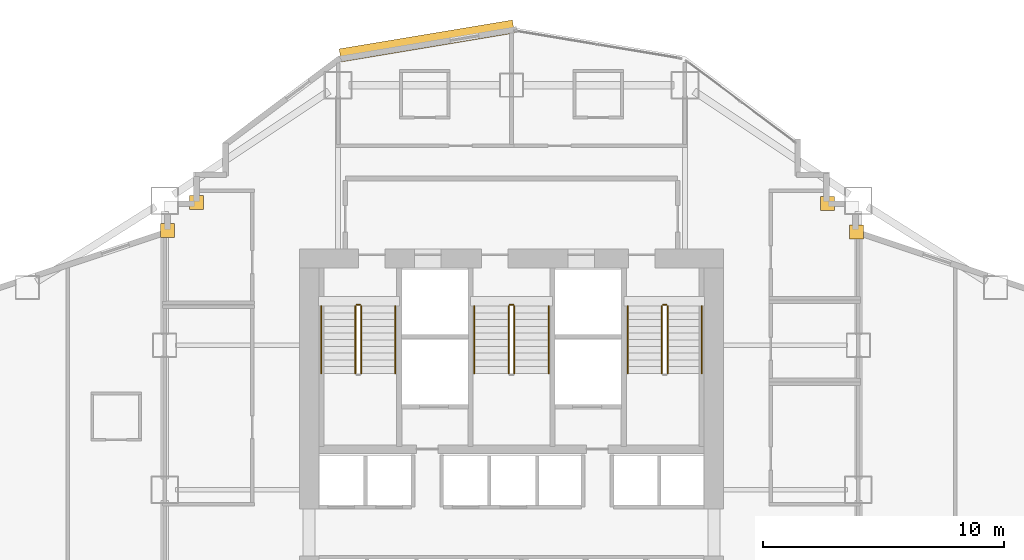
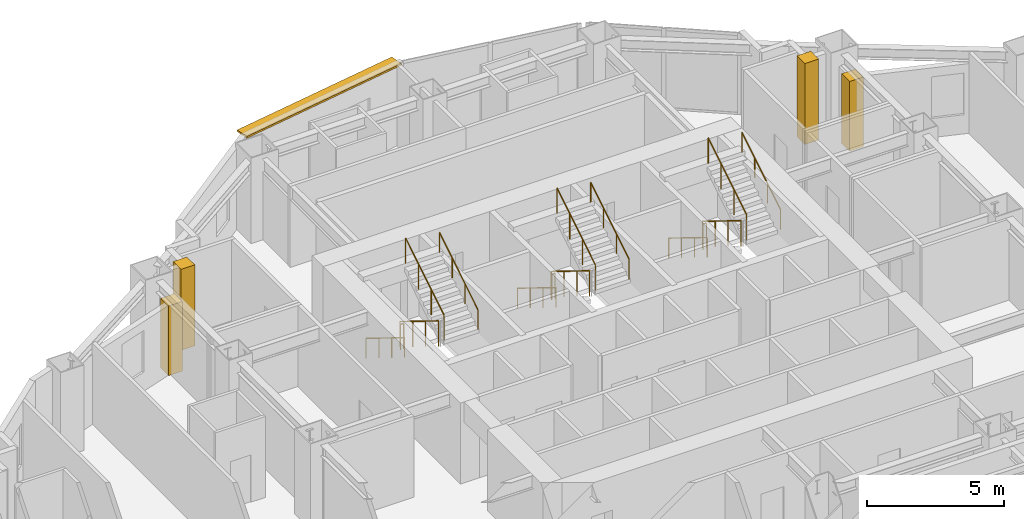
# One storey, part 15 of 16: 15 railings, 4 coverings, 1 shading device.
"""IFC4 building model written with IfcOpenShell, lengths in metres."""

from ifc_helpers import new_model, si_unit, direction, frame, origin, origin_2d, place, context, subcontext, project, spatial, rectangle, circle, extrude, material, layer, layer_set, type_object, element, save


model = new_model("IFC4")

# Units and contexts
model_context = context("Model", 3, precision=1e-05, world=origin(), true_north=direction((0.0, 1.0)))
body_context = subcontext(model_context, "Body", "Model", "MODEL_VIEW")
ifc_project = project(units=[si_unit("LENGTHUNIT", "METRE"), si_unit("AREAUNIT", "SQUARE_METRE"), si_unit("VOLUMEUNIT", "CUBIC_METRE"), si_unit("PLANEANGLEUNIT", "RADIAN"), si_unit("MASSUNIT", "GRAM", prefix="KILO")], contexts=[model_context])

# Site, building, storey
site_placement = place(None, origin())
site = spatial("IfcSite", under=ifc_project, at=site_placement, CompositionType="ELEMENT")
building_placement = place(site_placement, origin())
building = spatial("IfcBuilding", under=site, at=building_placement, Name="Haolan Belvedere Tower", CompositionType="ELEMENT")
storey_placement = place(building_placement, frame((0.0, 0.0, 47.60009765625)))
storey = spatial("IfcBuildingStorey", under=building, at=storey_placement, Name="L11", CompositionType="ELEMENT", Elevation=47.60009765625)

# Coverings
ifc_material_1 = material(Name="Pale champagne-silver anodised aluminium rainscreen cladding", Category="aluminium")
ifc_layer_1 = layer(ifc_material_1, 0.034912109375, Name="Pale champagne-silver anodised aluminium rainscreen cladding")
ifc_layer_set_1 = layer_set([ifc_layer_1], Name="Pale champagne-silver anodised aluminium rainscreen cladding")
covering_type = type_object("IfcCoveringType", Name="COV-CLAD-35", PredefinedType="CLADDING", material=ifc_layer_set_1)
covering_1_placement = place(storey_placement, frame((52.72021484375, 44.300048828125, 0.0), z_axis=(0.0, 0.0, 1.0), x_axis=(1.0, 0.0, 0.0)))
element("IfcCovering", 1, at=covering_1_placement, inside=storey, type_object=covering_type, Name="L11 pale-metal serrated corner cladding trim 8", PredefinedType="CLADDING", context=body_context, shape_type="SweptSolid", body=[
    extrude(rectangle(XDim=0.580078125, YDim=0.580078125, at=origin_2d()), origin(), (0.0, 0.0, 1.0), 3.096923828125),
])
for number, where, z_axis, x_axis, name in (
    (2, (51.5224609375, 45.47998046875, -0.000244140625), (0.0, 0.0, 1.0), (1.0, 0.0, 0.0), "L11 pale-metal serrated corner cladding trim 9"),
    (3, (25.320068359375, 45.5224609375, -0.000244140625), (0.0, 0.0, 1.0), (1.0, 0.0, 0.0), "L11 pale-metal serrated corner cladding trim 10"),
):
    element("IfcCovering", number, at=place(storey_placement, frame(where, z_axis=z_axis, x_axis=x_axis)), inside=storey, type_object=covering_type, Name=name, PredefinedType="CLADDING", context=body_context, shape_type="SweptSolid", body=[
        extrude(rectangle(XDim=0.580078125, YDim=0.580078125, at=origin_2d()), origin(), (0.0, 0.0, 1.0), 3.60009765625),
    ])
covering_2_placement = place(storey_placement, frame((24.1201171875, 44.35595703125, 0.0), z_axis=(0.0, 0.0, 1.0), x_axis=(1.0, 0.0, 0.0)))
element("IfcCovering", 4, at=covering_2_placement, inside=storey, type_object=covering_type, Name="L11 pale-metal serrated corner cladding trim 11", PredefinedType="CLADDING", context=body_context, shape_type="SweptSolid", body=[
    extrude(rectangle(XDim=0.580078125, YDim=0.580078125, at=origin_2d()), origin(), (0.0, 0.0, 1.0), 3.096923828125),
])

# Railings
ifc_material_2 = material(Name="Brushed stainless steel 304", Category="steel")
railing_type_1 = type_object("IfcRailingType", Name="RL-STAIR-GRD-1150", PredefinedType="GUARDRAIL", material=ifc_material_2)
railing_1_placement = place(storey_placement, frame((31.919921875, 41.22998046875, 0.172607421875)))
element("IfcRailing", 5, at=railing_1_placement, inside=storey, type_object=railing_type_1, Name="L11 ST1 stair guard 1", PredefinedType="GUARDRAIL", context=body_context, shape_type="SweptSolid", body=[
    extrude(circle(Radius=0.02392578125, at=origin_2d()), frame((0.0, 0.0, 1.1259765625), z_axis=(0.0, -0.851089632645, 0.525020415988), x_axis=(1.0, 0.0, 0.0)), (0.0, 0.0, 1.0), 3.2900390625),
    extrude(circle(Radius=0.02099609375, at=origin_2d()), origin(), (0.0, 0.0, 1.0), 1.101806640625),
    extrude(circle(Radius=0.02099609375, at=origin_2d()), frame((0.0, -0.933349609375, 0.57568359375)), (0.0, 0.0, 1.0), 1.101806640625),
    extrude(circle(Radius=0.02099609375, at=origin_2d()), frame((0.0, -1.86669921875, 1.151611328125)), (0.0, 0.0, 1.0), 1.101806640625),
    extrude(circle(Radius=0.02099609375, at=origin_2d()), frame((0.0, -2.800048828125, 1.727294921875)), (0.0, 0.0, 1.0), 1.101806640625),
])
railing_2_placement = place(storey_placement, frame((32.159912109375, 38.429931640625, 2.072509765625)))
element("IfcRailing", 6, at=railing_2_placement, inside=storey, type_object=railing_type_1, Name="L11 ST1 stair guard 3", PredefinedType="GUARDRAIL", context=body_context, shape_type="SweptSolid", body=[
    extrude(circle(Radius=0.02392578125, at=origin_2d()), frame((0.0, 0.0, 1.1259765625), z_axis=(0.0, 0.851089632645, 0.525020415988), x_axis=(-1.0, 0.0, 0.0)), (0.0, 0.0, 1.0), 3.2900390625),
    extrude(circle(Radius=0.02099609375, at=origin_2d()), origin(), (0.0, 0.0, 1.0), 1.101806640625),
    extrude(circle(Radius=0.02099609375, at=origin_2d()), frame((0.0, 0.933349609375, 0.57568359375)), (0.0, 0.0, 1.0), 1.101806640625),
    extrude(circle(Radius=0.02099609375, at=origin_2d()), frame((0.0, 1.86669921875, 1.151611328125)), (0.0, 0.0, 1.0), 1.101806640625),
    extrude(circle(Radius=0.02099609375, at=origin_2d()), frame((0.0, 2.800048828125, 1.727294921875)), (0.0, 0.0, 1.0), 1.101806640625),
])
railing_3_placement = place(storey_placement, frame((31.969970703125, 41.280029296875, 0.0)))
element("IfcRailing", 7, at=railing_3_placement, inside=storey, type_object=railing_type_1, Name="L11 ST1 stair guard 4", PredefinedType="GUARDRAIL", context=body_context, shape_type="SweptSolid", body=[
    extrude(circle(Radius=0.02392578125, at=origin_2d()), frame((0.0, 0.0, 1.1259765625), z_axis=(1.0, 0.0, 0.0), x_axis=(0.0, 1.0, 0.0)), (0.0, 0.0, 1.0), 0.14013671875),
    extrude(circle(Radius=0.02099609375, at=origin_2d()), origin(), (0.0, 0.0, 1.0), 1.101806640625),
    extrude(circle(Radius=0.02099609375, at=origin_2d()), frame((0.14013671875, 0.0, 0.0)), (0.0, 0.0, 1.0), 1.101806640625),
])
railing_4_placement = place(storey_placement, frame((38.280029296875, 41.22998046875, 0.172607421875)))
element("IfcRailing", 8, at=railing_4_placement, inside=storey, type_object=railing_type_1, Name="L11 ST3 stair guard 1", PredefinedType="GUARDRAIL", context=body_context, shape_type="SweptSolid", body=[
    extrude(circle(Radius=0.02392578125, at=origin_2d()), frame((0.0, 0.0, 1.1259765625), z_axis=(0.0, -0.851089632645, 0.525020415988), x_axis=(1.0, 0.0, 0.0)), (0.0, 0.0, 1.0), 3.2900390625),
    extrude(circle(Radius=0.02099609375, at=origin_2d()), origin(), (0.0, 0.0, 1.0), 1.101806640625),
    extrude(circle(Radius=0.02099609375, at=origin_2d()), frame((0.0, -0.933349609375, 0.57568359375)), (0.0, 0.0, 1.0), 1.101806640625),
    extrude(circle(Radius=0.02099609375, at=origin_2d()), frame((0.0, -1.86669921875, 1.151611328125)), (0.0, 0.0, 1.0), 1.101806640625),
    extrude(circle(Radius=0.02099609375, at=origin_2d()), frame((0.0, -2.800048828125, 1.727294921875)), (0.0, 0.0, 1.0), 1.101806640625),
])
railing_5_placement = place(storey_placement, frame((38.52001953125, 38.429931640625, 2.072509765625)))
element("IfcRailing", 9, at=railing_5_placement, inside=storey, type_object=railing_type_1, Name="L11 ST3 stair guard 3", PredefinedType="GUARDRAIL", context=body_context, shape_type="SweptSolid", body=[
    extrude(circle(Radius=0.02392578125, at=origin_2d()), frame((0.0, 0.0, 1.1259765625), z_axis=(0.0, 0.851089632645, 0.525020415988), x_axis=(-1.0, 0.0, 0.0)), (0.0, 0.0, 1.0), 3.2900390625),
    extrude(circle(Radius=0.02099609375, at=origin_2d()), origin(), (0.0, 0.0, 1.0), 1.101806640625),
    extrude(circle(Radius=0.02099609375, at=origin_2d()), frame((0.0, 0.933349609375, 0.57568359375)), (0.0, 0.0, 1.0), 1.101806640625),
    extrude(circle(Radius=0.02099609375, at=origin_2d()), frame((0.0, 1.86669921875, 1.151611328125)), (0.0, 0.0, 1.0), 1.101806640625),
    extrude(circle(Radius=0.02099609375, at=origin_2d()), frame((0.0, 2.800048828125, 1.727294921875)), (0.0, 0.0, 1.0), 1.101806640625),
])
railing_6_placement = place(storey_placement, frame((38.330078125, 41.280029296875, 0.0)))
element("IfcRailing", 10, at=railing_6_placement, inside=storey, type_object=railing_type_1, Name="L11 ST3 stair guard 4", PredefinedType="GUARDRAIL", context=body_context, shape_type="SweptSolid", body=[
    extrude(circle(Radius=0.02392578125, at=origin_2d()), frame((0.0, 0.0, 1.1259765625), z_axis=(1.0, 0.0, 0.0), x_axis=(0.0, 1.0, 0.0)), (0.0, 0.0, 1.0), 0.139892578125),
    extrude(circle(Radius=0.02099609375, at=origin_2d()), origin(), (0.0, 0.0, 1.0), 1.101806640625),
    extrude(circle(Radius=0.02099609375, at=origin_2d()), frame((0.139892578125, 0.0, 0.0)), (0.0, 0.0, 1.0), 1.101806640625),
])
railing_7_placement = place(storey_placement, frame((44.639892578125, 41.22998046875, 0.172607421875)))
element("IfcRailing", 11, at=railing_7_placement, inside=storey, type_object=railing_type_1, Name="L11 ST2 stair guard 1", PredefinedType="GUARDRAIL", context=body_context, shape_type="SweptSolid", body=[
    extrude(circle(Radius=0.02392578125, at=origin_2d()), frame((0.0, 0.0, 1.1259765625), z_axis=(0.0, -0.851089632645, 0.525020415988), x_axis=(1.0, 0.0, 0.0)), (0.0, 0.0, 1.0), 3.2900390625),
    extrude(circle(Radius=0.02099609375, at=origin_2d()), origin(), (0.0, 0.0, 1.0), 1.101806640625),
    extrude(circle(Radius=0.02099609375, at=origin_2d()), frame((0.0, -0.933349609375, 0.57568359375)), (0.0, 0.0, 1.0), 1.101806640625),
    extrude(circle(Radius=0.02099609375, at=origin_2d()), frame((0.0, -1.86669921875, 1.151611328125)), (0.0, 0.0, 1.0), 1.101806640625),
    extrude(circle(Radius=0.02099609375, at=origin_2d()), frame((0.0, -2.800048828125, 1.727294921875)), (0.0, 0.0, 1.0), 1.101806640625),
])
railing_8_placement = place(storey_placement, frame((44.8798828125, 38.429931640625, 2.072509765625)))
element("IfcRailing", 12, at=railing_8_placement, inside=storey, type_object=railing_type_1, Name="L11 ST2 stair guard 3", PredefinedType="GUARDRAIL", context=body_context, shape_type="SweptSolid", body=[
    extrude(circle(Radius=0.02392578125, at=origin_2d()), frame((0.0, 0.0, 1.1259765625), z_axis=(0.0, 0.851089632645, 0.525020415988), x_axis=(-1.0, 0.0, 0.0)), (0.0, 0.0, 1.0), 3.2900390625),
    extrude(circle(Radius=0.02099609375, at=origin_2d()), origin(), (0.0, 0.0, 1.0), 1.101806640625),
    extrude(circle(Radius=0.02099609375, at=origin_2d()), frame((0.0, 0.933349609375, 0.57568359375)), (0.0, 0.0, 1.0), 1.101806640625),
    extrude(circle(Radius=0.02099609375, at=origin_2d()), frame((0.0, 1.86669921875, 1.151611328125)), (0.0, 0.0, 1.0), 1.101806640625),
    extrude(circle(Radius=0.02099609375, at=origin_2d()), frame((0.0, 2.800048828125, 1.727294921875)), (0.0, 0.0, 1.0), 1.101806640625),
])
railing_9_placement = place(storey_placement, frame((44.68994140625, 41.280029296875, 0.0)))
element("IfcRailing", 13, at=railing_9_placement, inside=storey, type_object=railing_type_1, Name="L11 ST2 stair guard 4", PredefinedType="GUARDRAIL", context=body_context, shape_type="SweptSolid", body=[
    extrude(circle(Radius=0.02392578125, at=origin_2d()), frame((0.0, 0.0, 1.1259765625), z_axis=(1.0, 0.0, 0.0), x_axis=(0.0, 1.0, 0.0)), (0.0, 0.0, 1.0), 0.14013671875),
    extrude(circle(Radius=0.02099609375, at=origin_2d()), origin(), (0.0, 0.0, 1.0), 1.101806640625),
    extrude(circle(Radius=0.02099609375, at=origin_2d()), frame((0.14013671875, 0.0, 0.0)), (0.0, 0.0, 1.0), 1.101806640625),
])
railing_type_2 = type_object("IfcRailingType", Name="RL-STAIR-HND-900", PredefinedType="HANDRAIL", material=ifc_material_2)
railing_10_placement = place(storey_placement, frame((30.5, 41.22998046875, 0.172607421875)))
element("IfcRailing", 14, at=railing_10_placement, inside=storey, type_object=railing_type_2, Name="L11 ST1 stair handrail 1", PredefinedType="HANDRAIL", context=body_context, shape_type="SweptSolid", body=[
    extrude(circle(Radius=0.02392578125, at=origin_2d()), frame((0.0, 0.0, 0.8759765625), z_axis=(0.0, -0.851089632645, 0.525020415988), x_axis=(1.0, 0.0, 0.0)), (0.0, 0.0, 1.0), 3.2900390625),
    extrude(circle(Radius=0.02099609375, at=origin_2d()), origin(), (0.0, 0.0, 1.0), 0.851806640625),
    extrude(circle(Radius=0.02099609375, at=origin_2d()), frame((0.0, -0.933349609375, 0.57568359375)), (0.0, 0.0, 1.0), 0.851806640625),
    extrude(circle(Radius=0.02099609375, at=origin_2d()), frame((0.0, -1.86669921875, 1.151611328125)), (0.0, 0.0, 1.0), 0.851806640625),
    extrude(circle(Radius=0.02099609375, at=origin_2d()), frame((0.0, -2.800048828125, 1.727294921875)), (0.0, 0.0, 1.0), 0.851806640625),
])
railing_11_placement = place(storey_placement, frame((33.580078125, 38.429931640625, 2.072509765625)))
element("IfcRailing", 15, at=railing_11_placement, inside=storey, type_object=railing_type_2, Name="L11 ST1 stair handrail 2", PredefinedType="HANDRAIL", context=body_context, shape_type="SweptSolid", body=[
    extrude(circle(Radius=0.02392578125, at=origin_2d()), frame((0.0, 0.0, 0.8759765625), z_axis=(0.0, 0.851089632645, 0.525020415988), x_axis=(-1.0, 0.0, 0.0)), (0.0, 0.0, 1.0), 3.2900390625),
    extrude(circle(Radius=0.02099609375, at=origin_2d()), origin(), (0.0, 0.0, 1.0), 0.851806640625),
    extrude(circle(Radius=0.02099609375, at=origin_2d()), frame((0.0, 0.933349609375, 0.57568359375)), (0.0, 0.0, 1.0), 0.851806640625),
    extrude(circle(Radius=0.02099609375, at=origin_2d()), frame((0.0, 1.86669921875, 1.151611328125)), (0.0, 0.0, 1.0), 0.851806640625),
    extrude(circle(Radius=0.02099609375, at=origin_2d()), frame((0.0, 2.800048828125, 1.727294921875)), (0.0, 0.0, 1.0), 0.851806640625),
])
railing_12_placement = place(storey_placement, frame((36.860107421875, 41.22998046875, 0.172607421875)))
element("IfcRailing", 16, at=railing_12_placement, inside=storey, type_object=railing_type_2, Name="L11 ST3 stair handrail 1", PredefinedType="HANDRAIL", context=body_context, shape_type="SweptSolid", body=[
    extrude(circle(Radius=0.02392578125, at=origin_2d()), frame((0.0, 0.0, 0.8759765625), z_axis=(0.0, -0.851089632645, 0.525020415988), x_axis=(1.0, 0.0, 0.0)), (0.0, 0.0, 1.0), 3.2900390625),
    extrude(circle(Radius=0.02099609375, at=origin_2d()), origin(), (0.0, 0.0, 1.0), 0.851806640625),
    extrude(circle(Radius=0.02099609375, at=origin_2d()), frame((0.0, -0.933349609375, 0.57568359375)), (0.0, 0.0, 1.0), 0.851806640625),
    extrude(circle(Radius=0.02099609375, at=origin_2d()), frame((0.0, -1.86669921875, 1.151611328125)), (0.0, 0.0, 1.0), 0.851806640625),
    extrude(circle(Radius=0.02099609375, at=origin_2d()), frame((0.0, -2.800048828125, 1.727294921875)), (0.0, 0.0, 1.0), 0.851806640625),
])
railing_13_placement = place(storey_placement, frame((39.93994140625, 38.429931640625, 2.072509765625)))
element("IfcRailing", 17, at=railing_13_placement, inside=storey, type_object=railing_type_2, Name="L11 ST3 stair handrail 2", PredefinedType="HANDRAIL", context=body_context, shape_type="SweptSolid", body=[
    extrude(circle(Radius=0.02392578125, at=origin_2d()), frame((0.0, 0.0, 0.8759765625), z_axis=(0.0, 0.851089632645, 0.525020415988), x_axis=(-1.0, 0.0, 0.0)), (0.0, 0.0, 1.0), 3.2900390625),
    extrude(circle(Radius=0.02099609375, at=origin_2d()), origin(), (0.0, 0.0, 1.0), 0.851806640625),
    extrude(circle(Radius=0.02099609375, at=origin_2d()), frame((0.0, 0.933349609375, 0.57568359375)), (0.0, 0.0, 1.0), 0.851806640625),
    extrude(circle(Radius=0.02099609375, at=origin_2d()), frame((0.0, 1.86669921875, 1.151611328125)), (0.0, 0.0, 1.0), 0.851806640625),
    extrude(circle(Radius=0.02099609375, at=origin_2d()), frame((0.0, 2.800048828125, 1.727294921875)), (0.0, 0.0, 1.0), 0.851806640625),
])
railing_14_placement = place(storey_placement, frame((43.219970703125, 41.22998046875, 0.172607421875)))
element("IfcRailing", 18, at=railing_14_placement, inside=storey, type_object=railing_type_2, Name="L11 ST2 stair handrail 1", PredefinedType="HANDRAIL", context=body_context, shape_type="SweptSolid", body=[
    extrude(circle(Radius=0.02392578125, at=origin_2d()), frame((0.0, 0.0, 0.8759765625), z_axis=(0.0, -0.851089632645, 0.525020415988), x_axis=(1.0, 0.0, 0.0)), (0.0, 0.0, 1.0), 3.2900390625),
    extrude(circle(Radius=0.02099609375, at=origin_2d()), origin(), (0.0, 0.0, 1.0), 0.851806640625),
    extrude(circle(Radius=0.02099609375, at=origin_2d()), frame((0.0, -0.933349609375, 0.57568359375)), (0.0, 0.0, 1.0), 0.851806640625),
    extrude(circle(Radius=0.02099609375, at=origin_2d()), frame((0.0, -1.86669921875, 1.151611328125)), (0.0, 0.0, 1.0), 0.851806640625),
    extrude(circle(Radius=0.02099609375, at=origin_2d()), frame((0.0, -2.800048828125, 1.727294921875)), (0.0, 0.0, 1.0), 0.851806640625),
])
railing_15_placement = place(storey_placement, frame((46.300048828125, 38.429931640625, 2.072509765625)))
element("IfcRailing", 19, at=railing_15_placement, inside=storey, type_object=railing_type_2, Name="L11 ST2 stair handrail 2", PredefinedType="HANDRAIL", context=body_context, shape_type="SweptSolid", body=[
    extrude(circle(Radius=0.02392578125, at=origin_2d()), frame((0.0, 0.0, 0.8759765625), z_axis=(0.0, 0.851089632645, 0.525020415988), x_axis=(-1.0, 0.0, 0.0)), (0.0, 0.0, 1.0), 3.2900390625),
    extrude(circle(Radius=0.02099609375, at=origin_2d()), origin(), (0.0, 0.0, 1.0), 0.851806640625),
    extrude(circle(Radius=0.02099609375, at=origin_2d()), frame((0.0, 0.933349609375, 0.57568359375)), (0.0, 0.0, 1.0), 0.851806640625),
    extrude(circle(Radius=0.02099609375, at=origin_2d()), frame((0.0, 1.86669921875, 1.151611328125)), (0.0, 0.0, 1.0), 0.851806640625),
    extrude(circle(Radius=0.02099609375, at=origin_2d()), frame((0.0, 2.800048828125, 1.727294921875)), (0.0, 0.0, 1.0), 0.851806640625),
])

# Shading device
ifc_material_3 = material(Name="Anodised champagne-silver aluminium 6063-T6", Category="aluminium")
ifc_layer_2 = layer(ifc_material_3, 0.080078125, Name="Anodised champagne-silver aluminium 6063-T6")
ifc_layer_set_2 = layer_set([ifc_layer_2], Name="Anodised champagne-silver aluminium 6063-T6")
shading_device_type = type_object("IfcShadingDeviceType", Name="SHD-SUN-550", PredefinedType="USERDEFINED", material=ifc_layer_set_2)
shading_device_placement = place(storey_placement, frame((34.885009765625, 52.234375, 3.499755859375), z_axis=(0.0, 0.0, 1.0), x_axis=(-0.986394848329, -0.164393440227, 0.0)))
element("IfcShadingDevice", 20, at=shading_device_placement, inside=storey, type_object=shading_device_type, Name="L11 pale-metal horizontal SUNSHADE band 43.1", ObjectType="SUNSHADE", PredefinedType="USERDEFINED", context=body_context, shape_type="SweptSolid", body=[
    extrude(rectangle(XDim=7.2900390625, YDim=0.550048828125, at=origin_2d()), origin(), (0.0, 0.0, 1.0), 0.080078125),
])

save(model, "model.ifc")
